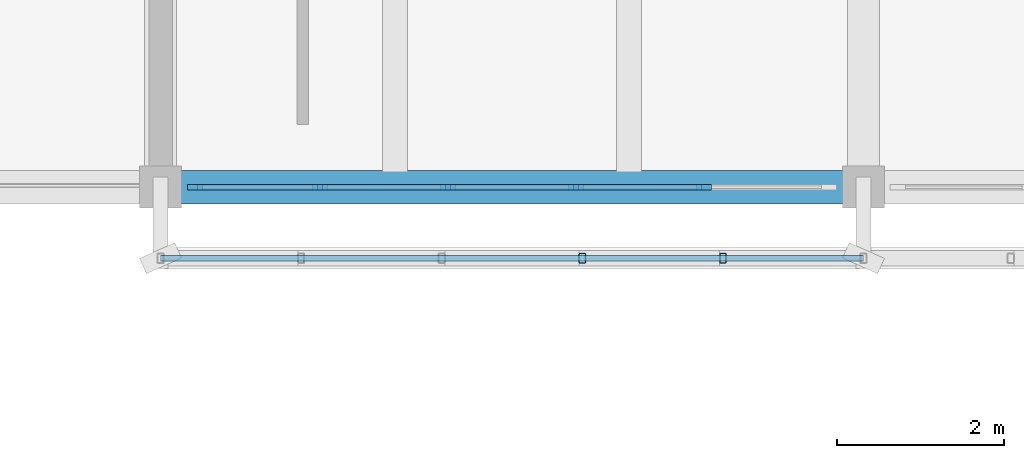
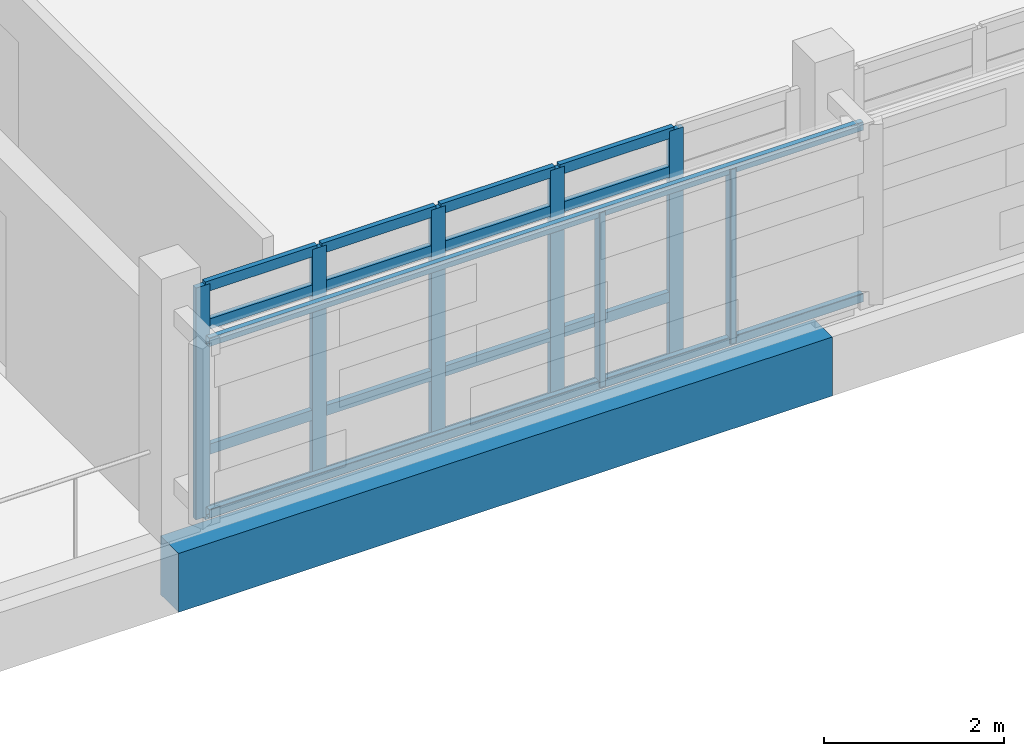
# One storey, part 10 of 50: 25 members, 1 beam, 1 element without a shape of its own.
"""IFC4 building model written with IfcOpenShell, lengths in metres."""

from ifc_helpers import new_model, si_unit, direction, frame, origin, origin_2d, place, context, subcontext, project, spatial, rectangle, hollow_rectangle, extrude, material, material_profile, profile_set, type_object, element, aggregate, save


model = new_model("IFC4")

# Units and contexts
model_context = context("Model", 3, precision=1e-05, world=origin(), true_north=direction((0.0, 1.0)))
body_context = subcontext(model_context, "Body", "Model", "MODEL_VIEW")
ifc_project = project(units=[si_unit("LENGTHUNIT", "METRE"), si_unit("AREAUNIT", "SQUARE_METRE"), si_unit("VOLUMEUNIT", "CUBIC_METRE"), si_unit("PLANEANGLEUNIT", "RADIAN"), si_unit("MASSUNIT", "GRAM", prefix="KILO")], contexts=[model_context])

# Site, building, storey
site_placement = place(None, origin())
site = spatial("IfcSite", under=ifc_project, at=site_placement, CompositionType="ELEMENT")
building_placement = place(site_placement, origin())
building = spatial("IfcBuilding", under=site, at=building_placement, Name="Cinderway Yard Community Centre", CompositionType="ELEMENT")
storey_placement = place(building_placement, frame((0.0, 0.0, 12.89990234375)))
storey = spatial("IfcBuildingStorey", under=building, at=storey_placement, Name="L03", CompositionType="ELEMENT", Elevation=12.89990234375)

# Curtain wall, members
ifc_material_1 = material(Name="Aluminium 6063-T6", Category="aluminium")
curtain_wall_type = type_object("IfcCurtainWallType", Name="ENV-CW-TYPE-32", PredefinedType="USERDEFINED", material=ifc_material_1)
curtain_wall_placement = place(storey_placement, origin())
curtain_wall = element("IfcCurtainWall", 1, at=curtain_wall_placement, inside=storey, type_object=curtain_wall_type, Name="V4 Courtyard Curtain Wall ENV-CW-L03-HS-0164", ObjectType="GLAZED CURTAIN WALL", PredefinedType="USERDEFINED")
ifc_material_profile_1 = material_profile(ifc_material_1, rectangle(XDim=0.06494140625, YDim=0.179931640625, at=origin_2d()), Name="Aluminium 6063-T6")
ifc_profile_set_1 = profile_set([ifc_material_profile_1], Name="Aluminium 6063-T6")
member_type_1 = type_object("IfcMemberType", Name="ENV-CW-MULL-180", PredefinedType="MULLION", material=ifc_profile_set_1)
member_1_placement = place(storey_placement, frame((67.2099609375, 90.0, 0.0), z_axis=(0.0, 0.0, 1.0), x_axis=(0.0, 1.0, 0.0)))
member_1 = element("IfcMember", 2, at=member_1_placement, type_object=member_type_1, Name="CW-32 mullion 1", PredefinedType="MULLION", context=body_context, shape_type="SweptSolid", body=[
    extrude(rectangle(XDim=0.06494140625, YDim=0.179931640625, at=origin_2d()), origin(), (0.0, 0.0, 1.0), 3.150146484375),
])
member_2_placement = place(storey_placement, frame((68.7080078125, 90.0, 0.0), z_axis=(0.0, 0.0, 1.0), x_axis=(0.0, 1.0, 0.0)))
member_2 = element("IfcMember", 3, at=member_2_placement, type_object=member_type_1, Name="CW-32 mullion 2", PredefinedType="MULLION", context=body_context, shape_type="SweptSolid", body=[
    extrude(rectangle(XDim=0.06494140625, YDim=0.179931640625, at=origin_2d()), origin(), (0.0, 0.0, 1.0), 3.150146484375),
])
member_3_placement = place(storey_placement, frame((70.236083984375, 90.0, 0.0), z_axis=(0.0, 0.0, 1.0), x_axis=(0.0, 1.0, 0.0)))
member_3 = element("IfcMember", 4, at=member_3_placement, type_object=member_type_1, Name="CW-32 mullion 3", PredefinedType="MULLION", context=body_context, shape_type="SweptSolid", body=[
    extrude(rectangle(XDim=0.06494140625, YDim=0.179931640625, at=origin_2d()), origin(), (0.0, 0.0, 1.0), 3.150146484375),
])
member_4_placement = place(storey_placement, frame((71.763916015625, 90.0, 0.0), z_axis=(0.0, 0.0, 1.0), x_axis=(0.0, 1.0, 0.0)))
member_4 = element("IfcMember", 5, at=member_4_placement, type_object=member_type_1, Name="CW-32 mullion 4", PredefinedType="MULLION", context=body_context, shape_type="SweptSolid", body=[
    extrude(rectangle(XDim=0.06494140625, YDim=0.179931640625, at=origin_2d()), origin(), (0.0, 0.0, 1.0), 3.150146484375),
])
member_5_placement = place(storey_placement, frame((73.2919921875, 90.0, 0.0), z_axis=(0.0, 0.0, 1.0), x_axis=(0.0, 1.0, 0.0)))
member_5 = element("IfcMember", 6, at=member_5_placement, type_object=member_type_1, Name="CW-32 mullion 5", PredefinedType="MULLION", context=body_context, shape_type="SweptSolid", body=[
    extrude(rectangle(XDim=0.06494140625, YDim=0.179931640625, at=origin_2d()), origin(), (0.0, 0.0, 1.0), 3.150146484375),
])
ifc_material_profile_2 = material_profile(ifc_material_1, rectangle(XDim=0.06494140625, YDim=0.139892578125, at=origin_2d()), Name="Aluminium 6063-T6")
ifc_profile_set_2 = profile_set([ifc_material_profile_2], Name="Aluminium 6063-T6")
member_type_2 = type_object("IfcMemberType", Name="ENV-CW-TRAN-140", PredefinedType="USERDEFINED", material=ifc_profile_set_2)
member_6_placement = place(storey_placement, frame((67.239990234375, 90.0, 0.030029296875), z_axis=(1.0, 0.0, 0.0), x_axis=(0.0, 1.0, 0.0)))
member_6 = element("IfcMember", 7, at=member_6_placement, type_object=member_type_2, Name="CW-32 transom 1.1", ObjectType="TRANSOM", PredefinedType="USERDEFINED", context=body_context, shape_type="SweptSolid", body=[
    extrude(rectangle(XDim=0.06494140625, YDim=0.139892578125, at=origin_2d()), origin(), (0.0, 0.0, 1.0), 1.43798828125),
])
member_7_placement = place(storey_placement, frame((67.239990234375, 90.0, 0.900146484375), z_axis=(1.0, 0.0, 0.0), x_axis=(0.0, 1.0, 0.0)))
member_7 = element("IfcMember", 8, at=member_7_placement, type_object=member_type_2, Name="CW-32 transom 1.2", ObjectType="TRANSOM", PredefinedType="USERDEFINED", context=body_context, shape_type="SweptSolid", body=[
    extrude(rectangle(XDim=0.06494140625, YDim=0.139892578125, at=origin_2d()), origin(), (0.0, 0.0, 1.0), 1.43798828125),
])
member_8_placement = place(storey_placement, frame((67.239990234375, 90.0, 2.60009765625), z_axis=(1.0, 0.0, 0.0), x_axis=(0.0, 1.0, 0.0)))
member_8 = element("IfcMember", 9, at=member_8_placement, type_object=member_type_2, Name="CW-32 transom 1.3", ObjectType="TRANSOM", PredefinedType="USERDEFINED", context=body_context, shape_type="SweptSolid", body=[
    extrude(rectangle(XDim=0.06494140625, YDim=0.139892578125, at=origin_2d()), origin(), (0.0, 0.0, 1.0), 1.43798828125),
])
member_9_placement = place(storey_placement, frame((67.239990234375, 90.0, 3.1201171875), z_axis=(1.0, 0.0, 0.0), x_axis=(0.0, 1.0, 0.0)))
member_9 = element("IfcMember", 10, at=member_9_placement, type_object=member_type_2, Name="CW-32 transom 1.4", ObjectType="TRANSOM", PredefinedType="USERDEFINED", context=body_context, shape_type="SweptSolid", body=[
    extrude(rectangle(XDim=0.06494140625, YDim=0.139892578125, at=origin_2d()), origin(), (0.0, 0.0, 1.0), 1.43798828125),
])
member_10_placement = place(storey_placement, frame((68.738037109375, 90.0, 0.030029296875), z_axis=(1.0, 0.0, 0.0), x_axis=(0.0, 1.0, 0.0)))
member_10 = element("IfcMember", 11, at=member_10_placement, type_object=member_type_2, Name="CW-32 transom 2.1", ObjectType="TRANSOM", PredefinedType="USERDEFINED", context=body_context, shape_type="SweptSolid", body=[
    extrude(rectangle(XDim=0.06494140625, YDim=0.139892578125, at=origin_2d()), origin(), (0.0, 0.0, 1.0), 1.468017578125),
])
member_11_placement = place(storey_placement, frame((68.738037109375, 90.0, 0.900146484375), z_axis=(1.0, 0.0, 0.0), x_axis=(0.0, 1.0, 0.0)))
member_11 = element("IfcMember", 12, at=member_11_placement, type_object=member_type_2, Name="CW-32 transom 2.2", ObjectType="TRANSOM", PredefinedType="USERDEFINED", context=body_context, shape_type="SweptSolid", body=[
    extrude(rectangle(XDim=0.06494140625, YDim=0.139892578125, at=origin_2d()), origin(), (0.0, 0.0, 1.0), 1.468017578125),
])
member_12_placement = place(storey_placement, frame((68.738037109375, 90.0, 2.60009765625), z_axis=(1.0, 0.0, 0.0), x_axis=(0.0, 1.0, 0.0)))
member_12 = element("IfcMember", 13, at=member_12_placement, type_object=member_type_2, Name="CW-32 transom 2.3", ObjectType="TRANSOM", PredefinedType="USERDEFINED", context=body_context, shape_type="SweptSolid", body=[
    extrude(rectangle(XDim=0.06494140625, YDim=0.139892578125, at=origin_2d()), origin(), (0.0, 0.0, 1.0), 1.468017578125),
])
member_13_placement = place(storey_placement, frame((68.738037109375, 90.0, 3.1201171875), z_axis=(1.0, 0.0, 0.0), x_axis=(0.0, 1.0, 0.0)))
member_13 = element("IfcMember", 14, at=member_13_placement, type_object=member_type_2, Name="CW-32 transom 2.4", ObjectType="TRANSOM", PredefinedType="USERDEFINED", context=body_context, shape_type="SweptSolid", body=[
    extrude(rectangle(XDim=0.06494140625, YDim=0.139892578125, at=origin_2d()), origin(), (0.0, 0.0, 1.0), 1.468017578125),
])
member_14_placement = place(storey_placement, frame((70.26611328125, 90.0, 0.030029296875), z_axis=(1.0, 0.0, 0.0), x_axis=(0.0, 1.0, 0.0)))
member_14 = element("IfcMember", 15, at=member_14_placement, type_object=member_type_2, Name="CW-32 transom 3.1", ObjectType="TRANSOM", PredefinedType="USERDEFINED", context=body_context, shape_type="SweptSolid", body=[
    extrude(rectangle(XDim=0.06494140625, YDim=0.139892578125, at=origin_2d()), origin(), (0.0, 0.0, 1.0), 1.4677734375),
])
member_15_placement = place(storey_placement, frame((70.26611328125, 90.0, 0.900146484375), z_axis=(1.0, 0.0, 0.0), x_axis=(0.0, 1.0, 0.0)))
member_15 = element("IfcMember", 16, at=member_15_placement, type_object=member_type_2, Name="CW-32 transom 3.2", ObjectType="TRANSOM", PredefinedType="USERDEFINED", context=body_context, shape_type="SweptSolid", body=[
    extrude(rectangle(XDim=0.06494140625, YDim=0.139892578125, at=origin_2d()), origin(), (0.0, 0.0, 1.0), 1.4677734375),
])
member_16_placement = place(storey_placement, frame((70.26611328125, 90.0, 2.60009765625), z_axis=(1.0, 0.0, 0.0), x_axis=(0.0, 1.0, 0.0)))
member_16 = element("IfcMember", 17, at=member_16_placement, type_object=member_type_2, Name="CW-32 transom 3.3", ObjectType="TRANSOM", PredefinedType="USERDEFINED", context=body_context, shape_type="SweptSolid", body=[
    extrude(rectangle(XDim=0.06494140625, YDim=0.139892578125, at=origin_2d()), origin(), (0.0, 0.0, 1.0), 1.4677734375),
])
member_17_placement = place(storey_placement, frame((70.26611328125, 90.0, 3.1201171875), z_axis=(1.0, 0.0, 0.0), x_axis=(0.0, 1.0, 0.0)))
member_17 = element("IfcMember", 18, at=member_17_placement, type_object=member_type_2, Name="CW-32 transom 3.4", ObjectType="TRANSOM", PredefinedType="USERDEFINED", context=body_context, shape_type="SweptSolid", body=[
    extrude(rectangle(XDim=0.06494140625, YDim=0.139892578125, at=origin_2d()), origin(), (0.0, 0.0, 1.0), 1.4677734375),
])
member_18_placement = place(storey_placement, frame((71.7939453125, 90.0, 0.030029296875), z_axis=(1.0, 0.0, 0.0), x_axis=(0.0, 1.0, 0.0)))
member_18 = element("IfcMember", 19, at=member_18_placement, type_object=member_type_2, Name="CW-32 transom 4.1", ObjectType="TRANSOM", PredefinedType="USERDEFINED", context=body_context, shape_type="SweptSolid", body=[
    extrude(rectangle(XDim=0.06494140625, YDim=0.139892578125, at=origin_2d()), origin(), (0.0, 0.0, 1.0), 1.468017578125),
])
member_19_placement = place(storey_placement, frame((71.7939453125, 90.0, 0.900146484375), z_axis=(1.0, 0.0, 0.0), x_axis=(0.0, 1.0, 0.0)))
member_19 = element("IfcMember", 20, at=member_19_placement, type_object=member_type_2, Name="CW-32 transom 4.2", ObjectType="TRANSOM", PredefinedType="USERDEFINED", context=body_context, shape_type="SweptSolid", body=[
    extrude(rectangle(XDim=0.06494140625, YDim=0.139892578125, at=origin_2d()), origin(), (0.0, 0.0, 1.0), 1.468017578125),
])
member_20_placement = place(storey_placement, frame((71.7939453125, 90.0, 2.60009765625), z_axis=(1.0, 0.0, 0.0), x_axis=(0.0, 1.0, 0.0)))
member_20 = element("IfcMember", 21, at=member_20_placement, type_object=member_type_2, Name="CW-32 transom 4.3", ObjectType="TRANSOM", PredefinedType="USERDEFINED", context=body_context, shape_type="SweptSolid", body=[
    extrude(rectangle(XDim=0.06494140625, YDim=0.139892578125, at=origin_2d()), origin(), (0.0, 0.0, 1.0), 1.468017578125),
])
member_21_placement = place(storey_placement, frame((71.7939453125, 90.0, 3.1201171875), z_axis=(1.0, 0.0, 0.0), x_axis=(0.0, 1.0, 0.0)))
member_21 = element("IfcMember", 22, at=member_21_placement, type_object=member_type_2, Name="CW-32 transom 4.4", ObjectType="TRANSOM", PredefinedType="USERDEFINED", context=body_context, shape_type="SweptSolid", body=[
    extrude(rectangle(XDim=0.06494140625, YDim=0.139892578125, at=origin_2d()), origin(), (0.0, 0.0, 1.0), 1.468017578125),
])
aggregate(curtain_wall, [member_1, member_2, member_3, member_4, member_5, member_6, member_7, member_8, member_9, member_10, member_11, member_12, member_13, member_14, member_15, member_16, member_17, member_18, member_19, member_20, member_21])

# Members
ifc_material_2 = material(Name="Steel S355", Category="steel")
ifc_material_profile_3 = material_profile(ifc_material_2, hollow_rectangle(XDim=0.080078125, YDim=0.1201171875, WallThickness=0.00634765625, InnerFilletRadius=0.00634765625, OuterFilletRadius=0.0126953125, at=origin_2d()), Name="Steel S355")
ifc_profile_set_3 = profile_set([ifc_material_profile_3], Name="Steel S355")
member_type_3 = type_object("IfcMemberType", Name="ENV-MEM-SCREEN-RAIL-120", PredefinedType="STRINGER", material=ifc_profile_set_3)
for number, where, z_axis, x_axis, name in (
    (23, (66.800048828125, 89.14990234375, 0.710205078125), (1.0, 0.0, 0.0), (0.0, 1.0, 0.0), "Screen support rail 0503-BOT"),
    (24, (66.800048828125, 89.14990234375, 3.0400390625), (1.0, 0.0, 0.0), (0.0, 1.0, 0.0), "Screen support rail 0504-TOP"),
):
    element("IfcMember", number, at=place(storey_placement, frame(where, z_axis=z_axis, x_axis=x_axis)), inside=storey, type_object=member_type_3, Name=name, PredefinedType="STRINGER", context=body_context, shape_type="SweptSolid", body=[
        extrude(hollow_rectangle(XDim=0.080078125, YDim=0.1201171875, WallThickness=0.00634765625, InnerFilletRadius=0.00634765625, OuterFilletRadius=0.0126953125, at=origin_2d()), origin(), (0.0, 0.0, 1.0), 8.39990234375),
    ])
for number, where, z_axis, x_axis, name in (
    (25, (71.840087890625, 89.14990234375, 0.690185546875), (0.0, 0.0, 1.0), (1.0, 0.0, 0.0), "Screen vertical mullion 0508"),
    (26, (73.52001953125, 89.14990234375, 0.690185546875), (0.0, 0.0, 1.0), (1.0, 0.0, 0.0), "Screen vertical mullion 0509"),
):
    element("IfcMember", number, at=place(storey_placement, frame(where, z_axis=z_axis, x_axis=x_axis)), inside=storey, type_object=member_type_3, Name=name, PredefinedType="STRINGER", context=body_context, shape_type="SweptSolid", body=[
        extrude(hollow_rectangle(XDim=0.080078125, YDim=0.1201171875, WallThickness=0.00634765625, InnerFilletRadius=0.00634765625, OuterFilletRadius=0.0126953125, at=origin_2d()), origin(), (0.0, 0.0, 1.0), 2.369873046875),
    ])

# Beam
ifc_material_3 = material(Name="Concrete C40/50", Category="concrete")
ifc_material_profile_4 = material_profile(ifc_material_3, rectangle(XDim=0.39990234375, YDim=0.800048828125, at=origin_2d()), Name="Concrete C40/50")
ifc_profile_set_4 = profile_set([ifc_material_profile_4], Name="Concrete C40/50")
beam_type = type_object("IfcBeamType", Name="STR-BM-RC400X800", PredefinedType="BEAM", material=ifc_profile_set_4)
beam_placement = place(storey_placement, frame((66.800048828125, 90.0, -0.639892578125), z_axis=(1.0, 0.0, 0.0), x_axis=(0.0, 1.0, 0.0)))
element("IfcBeam", 27, at=beam_placement, inside=storey, type_object=beam_type, Name="Primary girder STR-BM-L03-BG05-0673", PredefinedType="BEAM", context=body_context, shape_type="SweptSolid", body=[
    extrude(rectangle(XDim=0.39990234375, YDim=0.800048828125, at=origin_2d()), origin(), (0.0, 0.0, 1.0), 8.39990234375),
])

save(model, "model.ifc")
